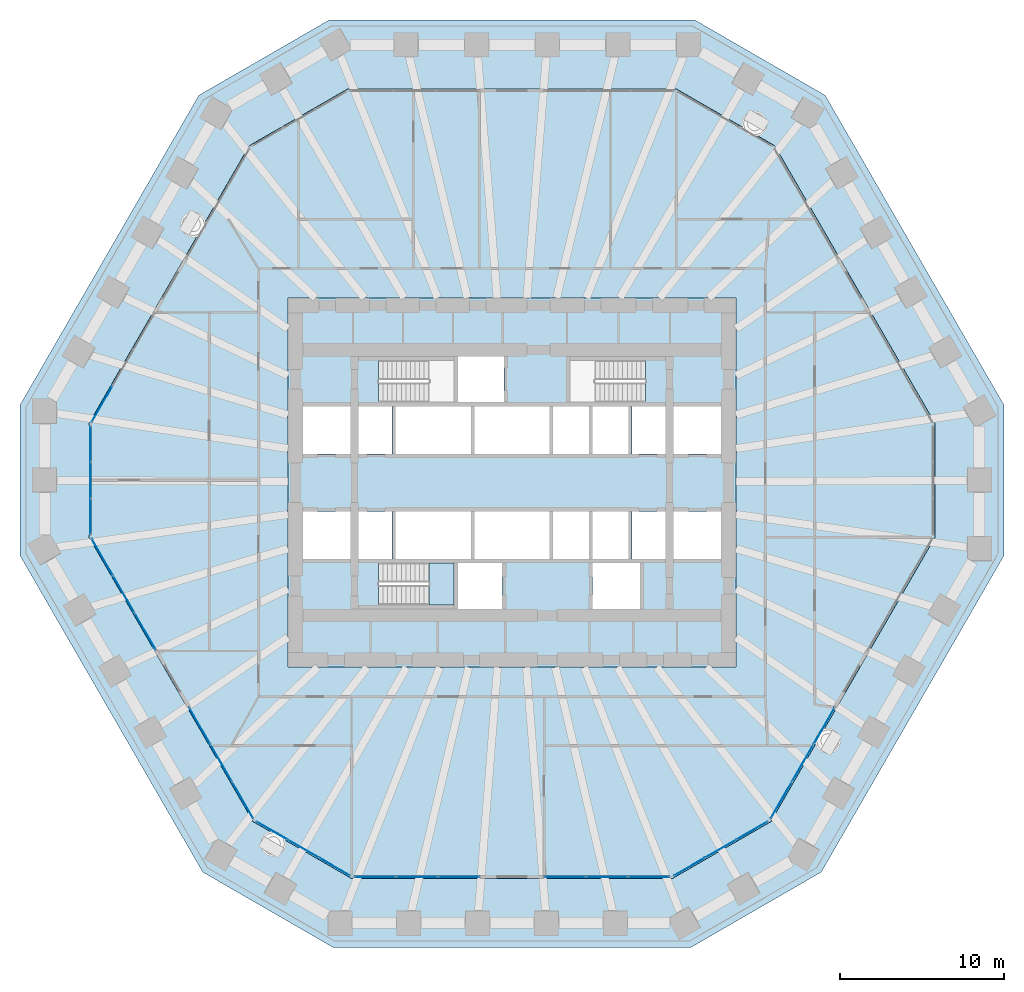
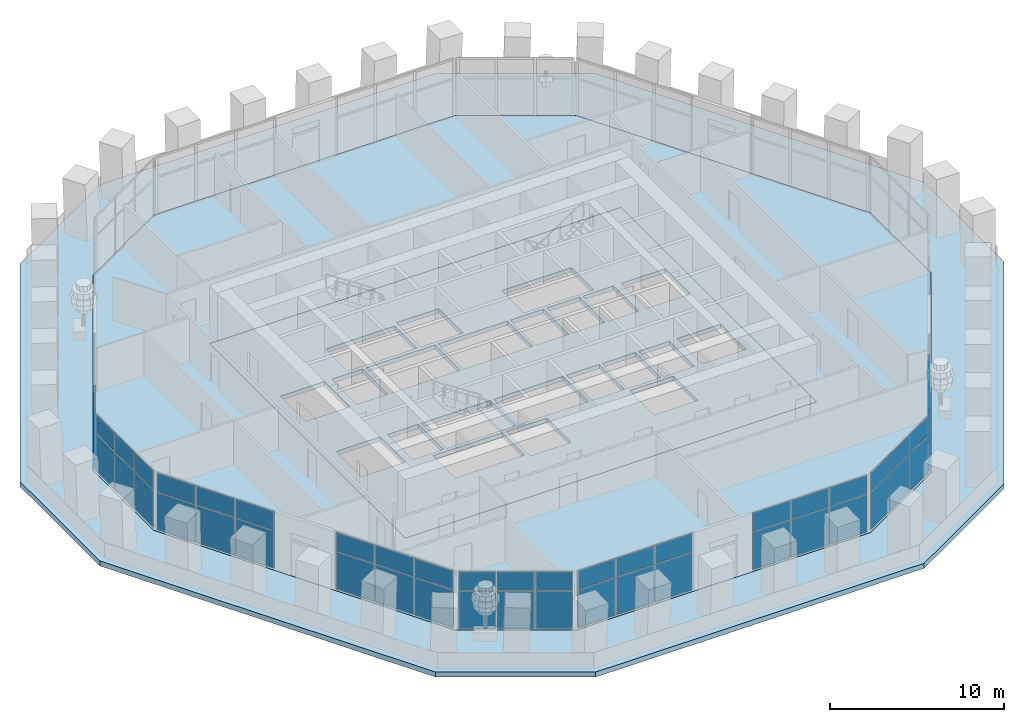
# One storey, part 9 of 18: 49 plates, 4 slabs, 10 elements without a shape of their own.
"""IFC4 building model written with IfcOpenShell, lengths in metres."""

from ifc_helpers import new_model, si_unit, direction, frame, origin, origin_2d, place, context, subcontext, project, spatial, polyline, rectangle, outline, extrude, material, layer, layer_set, type_object, element, aggregate, save


model = new_model("IFC4")

# Units and contexts
model_context = context("Model", 3, precision=1e-05, world=origin(), true_north=direction((0.0, 1.0)))
body_context = subcontext(model_context, "Body", "Model", "MODEL_VIEW")
ifc_project = project(units=[si_unit("LENGTHUNIT", "METRE"), si_unit("AREAUNIT", "SQUARE_METRE"), si_unit("VOLUMEUNIT", "CUBIC_METRE"), si_unit("PLANEANGLEUNIT", "RADIAN"), si_unit("MASSUNIT", "GRAM", prefix="KILO")], contexts=[model_context])

# Site, building, storey
site_placement = place(None, origin())
site = spatial("IfcSite", under=ifc_project, at=site_placement, CompositionType="ELEMENT")
building_placement = place(site_placement, origin())
building = spatial("IfcBuilding", under=site, at=building_placement, Name="Frailejon Research Tower", CompositionType="ELEMENT")
storey_placement = place(building_placement, frame((0.0, 0.0, 19.0)))
storey = spatial("IfcBuildingStorey", under=building, at=storey_placement, Name="L04", CompositionType="ELEMENT", Elevation=19.0)

# Curtain wall, plates
ifc_material_1 = material(Name="Aluminium curtain wall", Category="aluminium")
curtain_wall_type = type_object("IfcCurtainWallType", Name="Base zone unitised curtain wall system", PredefinedType="NOTDEFINED", material=ifc_material_1)
curtain_wall_1_placement = place(storey_placement, origin())
curtain_wall_1 = element("IfcCurtainWall", 1, at=curtain_wall_1_placement, inside=storey, type_object=curtain_wall_type, Name="Curtain wall L04", PredefinedType="NOTDEFINED")
ifc_material_2 = material(Name="Clear laminated glass", Category="glass")
ifc_layer_1 = layer(ifc_material_2, 0.028076171875)
ifc_layer_set_1 = layer_set([ifc_layer_1], Name="Base zone unitised curtain wall glass panel 28")
plate_type = type_object("IfcPlateType", Name="Base zone unitised curtain wall glass panel 28", PredefinedType="CURTAIN_PANEL", material=ifc_layer_set_1)
plate_1_placement = place(storey_placement, frame((-24.993408203125, 4.78662109375, 0.06005859375), z_axis=(0.0, 0.0, 1.0), x_axis=(-0.50000125994, -0.866024676356, 0.0)))
plate_1 = element("IfcPlate", 2, at=plate_1_placement, type_object=plate_type, Name="CW3-071 panel 3.1", PredefinedType="CURTAIN_PANEL", context=body_context, shape_type="SweptSolid", body=[
    extrude(rectangle(XDim=2.4765625, YDim=0.028076171875, at=origin_2d()), origin(), (0.0, 0.0, 1.0), 2.610107421875),
])
plate_2_placement = place(storey_placement, frame((-24.993408203125, 4.78662109375, 2.72998046875), z_axis=(0.0, 0.0, 1.0), x_axis=(-0.50000125994, -0.866024676356, 0.0)))
plate_2 = element("IfcPlate", 3, at=plate_2_placement, type_object=plate_type, Name="CW3-071 panel 3.2", PredefinedType="CURTAIN_PANEL", context=body_context, shape_type="SweptSolid", body=[
    extrude(rectangle(XDim=2.4765625, YDim=0.028076171875, at=origin_2d()), origin(), (0.0, 0.0, 1.0), 1.31005859375),
])
aggregate(curtain_wall_1, [plate_1, plate_2])

curtain_wall_2_placement = place(storey_placement, origin())
curtain_wall_2 = element("IfcCurtainWall", 4, at=curtain_wall_2_placement, inside=storey, type_object=curtain_wall_type, Name="Curtain wall L04", PredefinedType="NOTDEFINED")
plate_3_placement = place(storey_placement, frame((-25.692626953125, 2.34814453125, 0.06005859375), z_axis=(0.0, 0.0, 1.0), x_axis=(0.0, -1.0, 0.0)))
plate_3 = element("IfcPlate", 5, at=plate_3_placement, type_object=plate_type, Name="CW3-072 panel 1.1", PredefinedType="CURTAIN_PANEL", context=body_context, shape_type="SweptSolid", body=[
    extrude(rectangle(XDim=2.134765625, YDim=0.028076171875, at=origin_2d()), origin(), (0.0, 0.0, 1.0), 2.610107421875),
])
plate_4_placement = place(storey_placement, frame((-25.692626953125, 2.34814453125, 2.72998046875), z_axis=(0.0, 0.0, 1.0), x_axis=(0.0, -1.0, 0.0)))
plate_4 = element("IfcPlate", 6, at=plate_4_placement, type_object=plate_type, Name="CW3-072 panel 1.2", PredefinedType="CURTAIN_PANEL", context=body_context, shape_type="SweptSolid", body=[
    extrude(rectangle(XDim=2.134765625, YDim=0.028076171875, at=origin_2d()), origin(), (0.0, 0.0, 1.0), 1.31005859375),
])
plate_5_placement = place(storey_placement, frame((-25.692626953125, 0.13818359375, 0.06005859375), z_axis=(0.0, 0.0, 1.0), x_axis=(0.0, -1.0, 0.0)))
plate_5 = element("IfcPlate", 7, at=plate_5_placement, type_object=plate_type, Name="CW3-072 panel 2.1", PredefinedType="CURTAIN_PANEL", context=body_context, shape_type="SweptSolid", body=[
    extrude(rectangle(XDim=2.164794921875, YDim=0.028076171875, at=origin_2d()), origin(), (0.0, 0.0, 1.0), 2.610107421875),
])
plate_6_placement = place(storey_placement, frame((-25.692626953125, 0.13818359375, 2.72998046875), z_axis=(0.0, 0.0, 1.0), x_axis=(0.0, -1.0, 0.0)))
plate_6 = element("IfcPlate", 8, at=plate_6_placement, type_object=plate_type, Name="CW3-072 panel 2.2", PredefinedType="CURTAIN_PANEL", context=body_context, shape_type="SweptSolid", body=[
    extrude(rectangle(XDim=2.164794921875, YDim=0.028076171875, at=origin_2d()), origin(), (0.0, 0.0, 1.0), 1.31005859375),
])
plate_7_placement = place(storey_placement, frame((-25.692626953125, -2.071533203125, 0.06005859375), z_axis=(0.0, 0.0, 1.0), x_axis=(0.0, -1.0, 0.0)))
plate_7 = element("IfcPlate", 9, at=plate_7_placement, type_object=plate_type, Name="CW3-072 panel 3.1", PredefinedType="CURTAIN_PANEL", context=body_context, shape_type="SweptSolid", body=[
    extrude(rectangle(XDim=2.134765625, YDim=0.028076171875, at=origin_2d()), origin(), (0.0, 0.0, 1.0), 2.610107421875),
])
plate_8_placement = place(storey_placement, frame((-25.692626953125, -2.071533203125, 2.72998046875), z_axis=(0.0, 0.0, 1.0), x_axis=(0.0, -1.0, 0.0)))
plate_8 = element("IfcPlate", 10, at=plate_8_placement, type_object=plate_type, Name="CW3-072 panel 3.2", PredefinedType="CURTAIN_PANEL", context=body_context, shape_type="SweptSolid", body=[
    extrude(rectangle(XDim=2.134765625, YDim=0.028076171875, at=origin_2d()), origin(), (0.0, 0.0, 1.0), 1.31005859375),
])
aggregate(curtain_wall_2, [plate_3, plate_4, plate_5, plate_6, plate_7, plate_8])

curtain_wall_3_placement = place(storey_placement, origin())
curtain_wall_3 = element("IfcCurtainWall", 11, at=curtain_wall_3_placement, inside=storey, type_object=curtain_wall_type, Name="Curtain wall L04", PredefinedType="NOTDEFINED")
plate_9_placement = place(storey_placement, frame((-24.9775390625, -4.53759765625, 0.06005859375), z_axis=(0.0, 0.0, 1.0), x_axis=(0.499997414004, -0.866026896805, 0.0)))
plate_9 = element("IfcPlate", 12, at=plate_9_placement, type_object=plate_type, Name="CW3-073 panel 1.1", PredefinedType="CURTAIN_PANEL", context=body_context, shape_type="SweptSolid", body=[
    extrude(rectangle(XDim=2.54052734375, YDim=0.028076171875, at=origin_2d()), origin(), (0.0, 0.0, 1.0), 2.610107421875),
])
plate_10_placement = place(storey_placement, frame((-24.9775390625, -4.53759765625, 2.72998046875), z_axis=(0.0, 0.0, 1.0), x_axis=(0.499997414004, -0.866026896805, 0.0)))
plate_10 = element("IfcPlate", 13, at=plate_10_placement, type_object=plate_type, Name="CW3-073 panel 1.2", PredefinedType="CURTAIN_PANEL", context=body_context, shape_type="SweptSolid", body=[
    extrude(rectangle(XDim=2.54052734375, YDim=0.028076171875, at=origin_2d()), origin(), (0.0, 0.0, 1.0), 1.31005859375),
])
plate_11_placement = place(storey_placement, frame((-23.669677734375, -6.802734375, 0.06005859375), z_axis=(0.0, 0.0, 1.0), x_axis=(0.499997414004, -0.866026896805, 0.0)))
plate_11 = element("IfcPlate", 14, at=plate_11_placement, type_object=plate_type, Name="CW3-073 panel 2.1", PredefinedType="CURTAIN_PANEL", context=body_context, shape_type="SweptSolid", body=[
    extrude(rectangle(XDim=2.570556640625, YDim=0.028076171875, at=origin_2d()), origin(), (0.0, 0.0, 1.0), 2.610107421875),
])
plate_12_placement = place(storey_placement, frame((-23.669677734375, -6.802734375, 2.72998046875), z_axis=(0.0, 0.0, 1.0), x_axis=(0.499997414004, -0.866026896805, 0.0)))
plate_12 = element("IfcPlate", 15, at=plate_12_placement, type_object=plate_type, Name="CW3-073 panel 2.2", PredefinedType="CURTAIN_PANEL", context=body_context, shape_type="SweptSolid", body=[
    extrude(rectangle(XDim=2.570556640625, YDim=0.028076171875, at=origin_2d()), origin(), (0.0, 0.0, 1.0), 1.31005859375),
])
plate_13_placement = place(storey_placement, frame((-22.362060546875, -9.06787109375, 0.06005859375), z_axis=(0.0, 0.0, 1.0), x_axis=(0.499997414004, -0.866026896805, 0.0)))
plate_13 = element("IfcPlate", 16, at=plate_13_placement, type_object=plate_type, Name="CW3-073 panel 3.1", PredefinedType="CURTAIN_PANEL", context=body_context, shape_type="SweptSolid", body=[
    extrude(rectangle(XDim=2.54052734375, YDim=0.028076171875, at=origin_2d()), origin(), (0.0, 0.0, 1.0), 2.610107421875),
])
plate_14_placement = place(storey_placement, frame((-22.362060546875, -9.06787109375, 2.72998046875), z_axis=(0.0, 0.0, 1.0), x_axis=(0.499997414004, -0.866026896805, 0.0)))
plate_14 = element("IfcPlate", 17, at=plate_14_placement, type_object=plate_type, Name="CW3-073 panel 3.2", PredefinedType="CURTAIN_PANEL", context=body_context, shape_type="SweptSolid", body=[
    extrude(rectangle(XDim=2.54052734375, YDim=0.028076171875, at=origin_2d()), origin(), (0.0, 0.0, 1.0), 1.31005859375),
])
aggregate(curtain_wall_3, [plate_9, plate_10, plate_11, plate_12, plate_13, plate_14])

curtain_wall_4_placement = place(storey_placement, origin())
curtain_wall_4 = element("IfcCurtainWall", 18, at=curtain_wall_4_placement, inside=storey, type_object=curtain_wall_type, Name="Curtain wall L04", PredefinedType="NOTDEFINED")
plate_15_placement = place(storey_placement, frame((-19.033935546875, -14.832275390625, 0.06005859375), z_axis=(0.0, 0.0, 1.0), x_axis=(0.499997414004, -0.866026896805, 0.0)))
plate_15 = element("IfcPlate", 19, at=plate_15_placement, type_object=plate_type, Name="CW3-074 panel 1.1", PredefinedType="CURTAIN_PANEL", context=body_context, shape_type="SweptSolid", body=[
    extrude(rectangle(XDim=2.54052734375, YDim=0.028076171875, at=origin_2d()), origin(), (0.0, 0.0, 1.0), 2.610107421875),
])
plate_16_placement = place(storey_placement, frame((-19.033935546875, -14.832275390625, 2.72998046875), z_axis=(0.0, 0.0, 1.0), x_axis=(0.499997414004, -0.866026896805, 0.0)))
plate_16 = element("IfcPlate", 20, at=plate_16_placement, type_object=plate_type, Name="CW3-074 panel 1.2", PredefinedType="CURTAIN_PANEL", context=body_context, shape_type="SweptSolid", body=[
    extrude(rectangle(XDim=2.54052734375, YDim=0.028076171875, at=origin_2d()), origin(), (0.0, 0.0, 1.0), 1.31005859375),
])
plate_17_placement = place(storey_placement, frame((-17.726318359375, -17.097412109375, 0.06005859375), z_axis=(0.0, 0.0, 1.0), x_axis=(0.499997414004, -0.866026896805, 0.0)))
plate_17 = element("IfcPlate", 21, at=plate_17_placement, type_object=plate_type, Name="CW3-074 panel 2.1", PredefinedType="CURTAIN_PANEL", context=body_context, shape_type="SweptSolid", body=[
    extrude(rectangle(XDim=2.570556640625, YDim=0.028076171875, at=origin_2d()), origin(), (0.0, 0.0, 1.0), 2.610107421875),
])
plate_18_placement = place(storey_placement, frame((-17.726318359375, -17.097412109375, 2.72998046875), z_axis=(0.0, 0.0, 1.0), x_axis=(0.499997414004, -0.866026896805, 0.0)))
plate_18 = element("IfcPlate", 22, at=plate_18_placement, type_object=plate_type, Name="CW3-074 panel 2.2", PredefinedType="CURTAIN_PANEL", context=body_context, shape_type="SweptSolid", body=[
    extrude(rectangle(XDim=2.570556640625, YDim=0.028076171875, at=origin_2d()), origin(), (0.0, 0.0, 1.0), 1.31005859375),
])
plate_19_placement = place(storey_placement, frame((-16.41845703125, -19.3623046875, 0.06005859375), z_axis=(0.0, 0.0, 1.0), x_axis=(0.499997414004, -0.866026896805, 0.0)))
plate_19 = element("IfcPlate", 23, at=plate_19_placement, type_object=plate_type, Name="CW3-074 panel 3.1", PredefinedType="CURTAIN_PANEL", context=body_context, shape_type="SweptSolid", body=[
    extrude(rectangle(XDim=2.54052734375, YDim=0.028076171875, at=origin_2d()), origin(), (0.0, 0.0, 1.0), 2.610107421875),
])
plate_20_placement = place(storey_placement, frame((-16.41845703125, -19.3623046875, 2.72998046875), z_axis=(0.0, 0.0, 1.0), x_axis=(0.499997414004, -0.866026896805, 0.0)))
plate_20 = element("IfcPlate", 24, at=plate_20_placement, type_object=plate_type, Name="CW3-074 panel 3.2", PredefinedType="CURTAIN_PANEL", context=body_context, shape_type="SweptSolid", body=[
    extrude(rectangle(XDim=2.54052734375, YDim=0.028076171875, at=origin_2d()), origin(), (0.0, 0.0, 1.0), 1.31005859375),
])
aggregate(curtain_wall_4, [plate_15, plate_16, plate_17, plate_18, plate_19, plate_20])

curtain_wall_5_placement = place(storey_placement, origin())
curtain_wall_5 = element("IfcCurtainWall", 25, at=curtain_wall_5_placement, inside=storey, type_object=curtain_wall_type, Name="Curtain wall L04", PredefinedType="NOTDEFINED")
plate_21_placement = place(storey_placement, frame((-14.640380859375, -21.214599609375, 0.06005859375), z_axis=(0.0, 0.0, 1.0), x_axis=(0.866026409075, -0.499998258782, 0.0)))
plate_21 = element("IfcPlate", 26, at=plate_21_placement, type_object=plate_type, Name="CW3-075 panel 1.1", PredefinedType="CURTAIN_PANEL", context=body_context, shape_type="SweptSolid", body=[
    extrude(rectangle(XDim=2.134765625, YDim=0.028076171875, at=origin_2d()), origin(), (0.0, 0.0, 1.0), 2.610107421875),
])
plate_22_placement = place(storey_placement, frame((-14.640380859375, -21.214599609375, 2.72998046875), z_axis=(0.0, 0.0, 1.0), x_axis=(0.866026409075, -0.499998258782, 0.0)))
plate_22 = element("IfcPlate", 27, at=plate_22_placement, type_object=plate_type, Name="CW3-075 panel 1.2", PredefinedType="CURTAIN_PANEL", context=body_context, shape_type="SweptSolid", body=[
    extrude(rectangle(XDim=2.134765625, YDim=0.028076171875, at=origin_2d()), origin(), (0.0, 0.0, 1.0), 1.31005859375),
])
plate_23_placement = place(storey_placement, frame((-12.7265625, -22.319580078125, 0.06005859375), z_axis=(0.0, 0.0, 1.0), x_axis=(0.866026409075, -0.499998258782, 0.0)))
plate_23 = element("IfcPlate", 28, at=plate_23_placement, type_object=plate_type, Name="CW3-075 panel 2.1", PredefinedType="CURTAIN_PANEL", context=body_context, shape_type="SweptSolid", body=[
    extrude(rectangle(XDim=2.164794921875, YDim=0.028076171875, at=origin_2d()), origin(), (0.0, 0.0, 1.0), 2.610107421875),
])
plate_24_placement = place(storey_placement, frame((-12.7265625, -22.319580078125, 2.72998046875), z_axis=(0.0, 0.0, 1.0), x_axis=(0.866026409075, -0.499998258782, 0.0)))
plate_24 = element("IfcPlate", 29, at=plate_24_placement, type_object=plate_type, Name="CW3-075 panel 2.2", PredefinedType="CURTAIN_PANEL", context=body_context, shape_type="SweptSolid", body=[
    extrude(rectangle(XDim=2.164794921875, YDim=0.028076171875, at=origin_2d()), origin(), (0.0, 0.0, 1.0), 1.31005859375),
])
plate_25_placement = place(storey_placement, frame((-10.812744140625, -23.424560546875, 0.06005859375), z_axis=(0.0, 0.0, 1.0), x_axis=(0.866026409075, -0.499998258782, 0.0)))
plate_25 = element("IfcPlate", 30, at=plate_25_placement, type_object=plate_type, Name="CW3-075 panel 3.1", PredefinedType="CURTAIN_PANEL", context=body_context, shape_type="SweptSolid", body=[
    extrude(rectangle(XDim=2.134765625, YDim=0.028076171875, at=origin_2d()), origin(), (0.0, 0.0, 1.0), 2.610107421875),
])
plate_26_placement = place(storey_placement, frame((-10.812744140625, -23.424560546875, 2.72998046875), z_axis=(0.0, 0.0, 1.0), x_axis=(0.866026409075, -0.499998258782, 0.0)))
plate_26 = element("IfcPlate", 31, at=plate_26_placement, type_object=plate_type, Name="CW3-075 panel 3.2", PredefinedType="CURTAIN_PANEL", context=body_context, shape_type="SweptSolid", body=[
    extrude(rectangle(XDim=2.134765625, YDim=0.028076171875, at=origin_2d()), origin(), (0.0, 0.0, 1.0), 1.31005859375),
])
aggregate(curtain_wall_5, [plate_21, plate_22, plate_23, plate_24, plate_25, plate_26])

curtain_wall_6_placement = place(storey_placement, origin())
curtain_wall_6 = element("IfcCurtainWall", 32, at=curtain_wall_6_placement, inside=storey, type_object=curtain_wall_type, Name="Curtain wall L04", PredefinedType="NOTDEFINED")
plate_27_placement = place(storey_placement, frame((-8.3515625, -24.038330078125, 0.06005859375), z_axis=(0.0, 0.0, 1.0), x_axis=(1.0, 0.0, 0.0)))
plate_27 = element("IfcPlate", 33, at=plate_27_placement, type_object=plate_type, Name="CW3-076 panel 1.1", PredefinedType="CURTAIN_PANEL", context=body_context, shape_type="SweptSolid", body=[
    extrude(rectangle(XDim=2.4765625, YDim=0.028076171875, at=origin_2d()), origin(), (0.0, 0.0, 1.0), 2.610107421875),
])
plate_28_placement = place(storey_placement, frame((-8.3515625, -24.038330078125, 2.72998046875), z_axis=(0.0, 0.0, 1.0), x_axis=(1.0, 0.0, 0.0)))
plate_28 = element("IfcPlate", 34, at=plate_28_placement, type_object=plate_type, Name="CW3-076 panel 1.2", PredefinedType="CURTAIN_PANEL", context=body_context, shape_type="SweptSolid", body=[
    extrude(rectangle(XDim=2.4765625, YDim=0.028076171875, at=origin_2d()), origin(), (0.0, 0.0, 1.0), 1.31005859375),
])
plate_29_placement = place(storey_placement, frame((-5.7998046875, -24.038330078125, 0.06005859375), z_axis=(0.0, 0.0, 1.0), x_axis=(1.0, 0.0, 0.0)))
plate_29 = element("IfcPlate", 35, at=plate_29_placement, type_object=plate_type, Name="CW3-076 panel 2.1", PredefinedType="CURTAIN_PANEL", context=body_context, shape_type="SweptSolid", body=[
    extrude(rectangle(XDim=2.506591796875, YDim=0.028076171875, at=origin_2d()), origin(), (0.0, 0.0, 1.0), 2.610107421875),
])
plate_30_placement = place(storey_placement, frame((-5.7998046875, -24.038330078125, 2.72998046875), z_axis=(0.0, 0.0, 1.0), x_axis=(1.0, 0.0, 0.0)))
plate_30 = element("IfcPlate", 36, at=plate_30_placement, type_object=plate_type, Name="CW3-076 panel 2.2", PredefinedType="CURTAIN_PANEL", context=body_context, shape_type="SweptSolid", body=[
    extrude(rectangle(XDim=2.506591796875, YDim=0.028076171875, at=origin_2d()), origin(), (0.0, 0.0, 1.0), 1.31005859375),
])
plate_31_placement = place(storey_placement, frame((-3.248291015625, -24.038330078125, 0.06005859375), z_axis=(0.0, 0.0, 1.0), x_axis=(1.0, 0.0, 0.0)))
plate_31 = element("IfcPlate", 37, at=plate_31_placement, type_object=plate_type, Name="CW3-076 panel 3.1", PredefinedType="CURTAIN_PANEL", context=body_context, shape_type="SweptSolid", body=[
    extrude(rectangle(XDim=2.4765625, YDim=0.028076171875, at=origin_2d()), origin(), (0.0, 0.0, 1.0), 2.610107421875),
])
plate_32_placement = place(storey_placement, frame((-3.248291015625, -24.038330078125, 2.72998046875), z_axis=(0.0, 0.0, 1.0), x_axis=(1.0, 0.0, 0.0)))
plate_32 = element("IfcPlate", 38, at=plate_32_placement, type_object=plate_type, Name="CW3-076 panel 3.2", PredefinedType="CURTAIN_PANEL", context=body_context, shape_type="SweptSolid", body=[
    extrude(rectangle(XDim=2.4765625, YDim=0.028076171875, at=origin_2d()), origin(), (0.0, 0.0, 1.0), 1.31005859375),
])
aggregate(curtain_wall_6, [plate_27, plate_28, plate_29, plate_30, plate_31, plate_32])

curtain_wall_7_placement = place(storey_placement, origin())
curtain_wall_7 = element("IfcCurtainWall", 39, at=curtain_wall_7_placement, inside=storey, type_object=curtain_wall_type, Name="Curtain wall L04", PredefinedType="NOTDEFINED")
plate_33_placement = place(storey_placement, frame((3.248291015625, -24.038330078125, 0.06005859375), z_axis=(0.0, 0.0, 1.0), x_axis=(1.0, 0.0, 0.0)))
plate_33 = element("IfcPlate", 40, at=plate_33_placement, type_object=plate_type, Name="CW3-077 panel 1.1", PredefinedType="CURTAIN_PANEL", context=body_context, shape_type="SweptSolid", body=[
    extrude(rectangle(XDim=2.4765625, YDim=0.028076171875, at=origin_2d()), origin(), (0.0, 0.0, 1.0), 2.610107421875),
])
plate_34_placement = place(storey_placement, frame((3.248291015625, -24.038330078125, 2.72998046875), z_axis=(0.0, 0.0, 1.0), x_axis=(1.0, 0.0, 0.0)))
plate_34 = element("IfcPlate", 41, at=plate_34_placement, type_object=plate_type, Name="CW3-077 panel 1.2", PredefinedType="CURTAIN_PANEL", context=body_context, shape_type="SweptSolid", body=[
    extrude(rectangle(XDim=2.4765625, YDim=0.028076171875, at=origin_2d()), origin(), (0.0, 0.0, 1.0), 1.31005859375),
])
plate_35_placement = place(storey_placement, frame((5.7998046875, -24.038330078125, 0.06005859375), z_axis=(0.0, 0.0, 1.0), x_axis=(1.0, 0.0, 0.0)))
plate_35 = element("IfcPlate", 42, at=plate_35_placement, type_object=plate_type, Name="CW3-077 panel 2.1", PredefinedType="CURTAIN_PANEL", context=body_context, shape_type="SweptSolid", body=[
    extrude(rectangle(XDim=2.506591796875, YDim=0.028076171875, at=origin_2d()), origin(), (0.0, 0.0, 1.0), 2.610107421875),
])
plate_36_placement = place(storey_placement, frame((5.7998046875, -24.038330078125, 2.72998046875), z_axis=(0.0, 0.0, 1.0), x_axis=(1.0, 0.0, 0.0)))
plate_36 = element("IfcPlate", 43, at=plate_36_placement, type_object=plate_type, Name="CW3-077 panel 2.2", PredefinedType="CURTAIN_PANEL", context=body_context, shape_type="SweptSolid", body=[
    extrude(rectangle(XDim=2.506591796875, YDim=0.028076171875, at=origin_2d()), origin(), (0.0, 0.0, 1.0), 1.31005859375),
])
plate_37_placement = place(storey_placement, frame((8.3515625, -24.038330078125, 0.06005859375), z_axis=(0.0, 0.0, 1.0), x_axis=(1.0, 0.0, 0.0)))
plate_37 = element("IfcPlate", 44, at=plate_37_placement, type_object=plate_type, Name="CW3-077 panel 3.1", PredefinedType="CURTAIN_PANEL", context=body_context, shape_type="SweptSolid", body=[
    extrude(rectangle(XDim=2.4765625, YDim=0.028076171875, at=origin_2d()), origin(), (0.0, 0.0, 1.0), 2.610107421875),
])
plate_38_placement = place(storey_placement, frame((8.3515625, -24.038330078125, 2.72998046875), z_axis=(0.0, 0.0, 1.0), x_axis=(1.0, 0.0, 0.0)))
plate_38 = element("IfcPlate", 45, at=plate_38_placement, type_object=plate_type, Name="CW3-077 panel 3.2", PredefinedType="CURTAIN_PANEL", context=body_context, shape_type="SweptSolid", body=[
    extrude(rectangle(XDim=2.4765625, YDim=0.028076171875, at=origin_2d()), origin(), (0.0, 0.0, 1.0), 1.31005859375),
])
aggregate(curtain_wall_7, [plate_33, plate_34, plate_35, plate_36, plate_37, plate_38])

curtain_wall_8_placement = place(storey_placement, origin())
curtain_wall_8 = element("IfcCurtainWall", 46, at=curtain_wall_8_placement, inside=storey, type_object=curtain_wall_type, Name="Curtain wall L04", PredefinedType="NOTDEFINED")
plate_39_placement = place(storey_placement, frame((10.812744140625, -23.424560546875, 0.06005859375), z_axis=(0.0, 0.0, 1.0), x_axis=(0.866026409075, 0.499998258782, 0.0)))
plate_39 = element("IfcPlate", 47, at=plate_39_placement, type_object=plate_type, Name="CW3-078 panel 1.1", PredefinedType="CURTAIN_PANEL", context=body_context, shape_type="SweptSolid", body=[
    extrude(rectangle(XDim=2.134765625, YDim=0.028076171875, at=origin_2d()), origin(), (0.0, 0.0, 1.0), 2.610107421875),
])
plate_40_placement = place(storey_placement, frame((10.812744140625, -23.424560546875, 2.72998046875), z_axis=(0.0, 0.0, 1.0), x_axis=(0.866026409075, 0.499998258782, 0.0)))
plate_40 = element("IfcPlate", 48, at=plate_40_placement, type_object=plate_type, Name="CW3-078 panel 1.2", PredefinedType="CURTAIN_PANEL", context=body_context, shape_type="SweptSolid", body=[
    extrude(rectangle(XDim=2.134765625, YDim=0.028076171875, at=origin_2d()), origin(), (0.0, 0.0, 1.0), 1.31005859375),
])
plate_41_placement = place(storey_placement, frame((12.7265625, -22.319580078125, 0.06005859375), z_axis=(0.0, 0.0, 1.0), x_axis=(0.866026409075, 0.499998258782, 0.0)))
plate_41 = element("IfcPlate", 49, at=plate_41_placement, type_object=plate_type, Name="CW3-078 panel 2.1", PredefinedType="CURTAIN_PANEL", context=body_context, shape_type="SweptSolid", body=[
    extrude(rectangle(XDim=2.164794921875, YDim=0.028076171875, at=origin_2d()), origin(), (0.0, 0.0, 1.0), 2.610107421875),
])
plate_42_placement = place(storey_placement, frame((12.7265625, -22.319580078125, 2.72998046875), z_axis=(0.0, 0.0, 1.0), x_axis=(0.866026409075, 0.499998258782, 0.0)))
plate_42 = element("IfcPlate", 50, at=plate_42_placement, type_object=plate_type, Name="CW3-078 panel 2.2", PredefinedType="CURTAIN_PANEL", context=body_context, shape_type="SweptSolid", body=[
    extrude(rectangle(XDim=2.164794921875, YDim=0.028076171875, at=origin_2d()), origin(), (0.0, 0.0, 1.0), 1.31005859375),
])
plate_43_placement = place(storey_placement, frame((14.640380859375, -21.214599609375, 0.06005859375), z_axis=(0.0, 0.0, 1.0), x_axis=(0.866026409075, 0.499998258782, 0.0)))
plate_43 = element("IfcPlate", 51, at=plate_43_placement, type_object=plate_type, Name="CW3-078 panel 3.1", PredefinedType="CURTAIN_PANEL", context=body_context, shape_type="SweptSolid", body=[
    extrude(rectangle(XDim=2.134765625, YDim=0.028076171875, at=origin_2d()), origin(), (0.0, 0.0, 1.0), 2.610107421875),
])
plate_44_placement = place(storey_placement, frame((14.640380859375, -21.214599609375, 2.72998046875), z_axis=(0.0, 0.0, 1.0), x_axis=(0.866026409075, 0.499998258782, 0.0)))
plate_44 = element("IfcPlate", 52, at=plate_44_placement, type_object=plate_type, Name="CW3-078 panel 3.2", PredefinedType="CURTAIN_PANEL", context=body_context, shape_type="SweptSolid", body=[
    extrude(rectangle(XDim=2.134765625, YDim=0.028076171875, at=origin_2d()), origin(), (0.0, 0.0, 1.0), 1.31005859375),
])
aggregate(curtain_wall_8, [plate_39, plate_40, plate_41, plate_42, plate_43, plate_44])

curtain_wall_9_placement = place(storey_placement, origin())
curtain_wall_9 = element("IfcCurtainWall", 53, at=curtain_wall_9_placement, inside=storey, type_object=curtain_wall_type, Name="Curtain wall L04", PredefinedType="NOTDEFINED")
plate_45_placement = place(storey_placement, frame((16.41845703125, -19.3623046875, 0.06005859375), z_axis=(0.0, 0.0, 1.0), x_axis=(0.499997414004, 0.866026896805, 0.0)))
plate_45 = element("IfcPlate", 54, at=plate_45_placement, type_object=plate_type, Name="CW3-079 panel 1.1", PredefinedType="CURTAIN_PANEL", context=body_context, shape_type="SweptSolid", body=[
    extrude(rectangle(XDim=2.54052734375, YDim=0.028076171875, at=origin_2d()), origin(), (0.0, 0.0, 1.0), 2.610107421875),
])
plate_46_placement = place(storey_placement, frame((16.41845703125, -19.3623046875, 2.72998046875), z_axis=(0.0, 0.0, 1.0), x_axis=(0.499997414004, 0.866026896805, 0.0)))
plate_46 = element("IfcPlate", 55, at=plate_46_placement, type_object=plate_type, Name="CW3-079 panel 1.2", PredefinedType="CURTAIN_PANEL", context=body_context, shape_type="SweptSolid", body=[
    extrude(rectangle(XDim=2.54052734375, YDim=0.028076171875, at=origin_2d()), origin(), (0.0, 0.0, 1.0), 1.31005859375),
])
plate_47_placement = place(storey_placement, frame((17.726318359375, -17.097412109375, 0.06005859375), z_axis=(0.0, 0.0, 1.0), x_axis=(0.499997414004, 0.866026896805, 0.0)))
plate_47 = element("IfcPlate", 56, at=plate_47_placement, type_object=plate_type, Name="CW3-079 panel 2.1", PredefinedType="CURTAIN_PANEL", context=body_context, shape_type="SweptSolid", body=[
    extrude(rectangle(XDim=2.570556640625, YDim=0.028076171875, at=origin_2d()), origin(), (0.0, 0.0, 1.0), 2.610107421875),
])
plate_48_placement = place(storey_placement, frame((17.726318359375, -17.097412109375, 2.72998046875), z_axis=(0.0, 0.0, 1.0), x_axis=(0.499997414004, 0.866026896805, 0.0)))
plate_48 = element("IfcPlate", 57, at=plate_48_placement, type_object=plate_type, Name="CW3-079 panel 2.2", PredefinedType="CURTAIN_PANEL", context=body_context, shape_type="SweptSolid", body=[
    extrude(rectangle(XDim=2.570556640625, YDim=0.028076171875, at=origin_2d()), origin(), (0.0, 0.0, 1.0), 1.31005859375),
])
plate_49_placement = place(storey_placement, frame((19.033935546875, -14.832275390625, 0.06005859375), z_axis=(0.0, 0.0, 1.0), x_axis=(0.499997414004, 0.866026896805, 0.0)))
plate_49 = element("IfcPlate", 58, at=plate_49_placement, type_object=plate_type, Name="CW3-079 panel 3.1", PredefinedType="CURTAIN_PANEL", context=body_context, shape_type="SweptSolid", body=[
    extrude(rectangle(XDim=2.54052734375, YDim=0.028076171875, at=origin_2d()), origin(), (0.0, 0.0, 1.0), 2.610107421875),
])
aggregate(curtain_wall_9, [plate_45, plate_46, plate_47, plate_48, plate_49])

# Slabs
ifc_material_3 = material(Name="Concrete C70/85", Category="concrete")
ifc_layer_2 = layer(ifc_material_3, 0.300048828125)
ifc_layer_set_2 = layer_set([ifc_layer_2], Name="Core floor slab 300 C70/85")
slab_type_1 = type_object("IfcSlabType", Name="Core floor slab 300 C70/85", PredefinedType="FLOOR", material=ifc_layer_set_2)
slab_1_placement = place(storey_placement, frame((0.0, 0.0, -0.300048828125)))
element("IfcSlab", 59, at=slab_1_placement, inside=storey, type_object=slab_type_1, Name="Core floor slab", PredefinedType="FLOOR", context=body_context, shape_type="SweptSolid", body=[
    extrude(outline(polyline([(13.64990234375, -11.25), (13.64990234375, 11.25), (-13.64990234375, 11.25), (-13.64990234375, -11.25), (13.64990234375, -11.25)]), holes=[polyline([(-9.85009765625, 1.75), (-9.85009765625, 4.64990234375), (-12.75, 4.64990234375), (-12.75, 1.75), (-9.85009765625, 1.75)]), polyline([(-7.300048828125, 1.75), (-7.300048828125, 4.64990234375), (-9.35009765625, 4.64990234375), (-9.35009765625, 1.75), (-7.300048828125, 1.75)]), polyline([(-2.5, 1.75), (-2.5, 4.64990234375), (-7.10009765625, 4.64990234375), (-7.10009765625, 1.75), (-2.5, 1.75)]), polyline([(2.300048828125, 1.75), (2.300048828125, 4.64990234375), (-2.300048828125, 4.64990234375), (-2.300048828125, 1.75), (2.300048828125, 1.75)]), polyline([(4.699951171875, 1.75), (4.699951171875, 4.64990234375), (2.5, 4.64990234375), (2.5, 1.75), (4.699951171875, 1.75)]), polyline([(7.10009765625, 1.75), (7.10009765625, 4.64990234375), (4.89990234375, 4.64990234375), (4.89990234375, 1.75), (7.10009765625, 1.75)]), polyline([(9.35009765625, 1.75), (9.35009765625, 4.64990234375), (7.300048828125, 4.64990234375), (7.300048828125, 1.75), (9.35009765625, 1.75)]), polyline([(12.75, 1.75), (12.75, 4.64990234375), (9.85009765625, 4.64990234375), (9.85009765625, 1.75), (12.75, 1.75)]), polyline([(-9.85009765625, -4.64990234375), (-9.85009765625, -1.75), (-12.75, -1.75), (-12.75, -4.64990234375), (-9.85009765625, -4.64990234375)]), polyline([(-7.300048828125, -4.64990234375), (-7.300048828125, -1.75), (-9.35009765625, -1.75), (-9.35009765625, -4.64990234375), (-7.300048828125, -4.64990234375)]), polyline([(-2.5, -4.64990234375), (-2.5, -1.75), (-7.10009765625, -1.75), (-7.10009765625, -4.64990234375), (-2.5, -4.64990234375)]), polyline([(2.300048828125, -4.64990234375), (2.300048828125, -1.75), (-2.300048828125, -1.75), (-2.300048828125, -4.64990234375), (2.300048828125, -4.64990234375)]), polyline([(4.699951171875, -4.64990234375), (4.699951171875, -1.75), (2.5, -1.75), (2.5, -4.64990234375), (4.699951171875, -4.64990234375)]), polyline([(7.10009765625, -4.64990234375), (7.10009765625, -1.75), (4.89990234375, -1.75), (4.89990234375, -4.64990234375), (7.10009765625, -4.64990234375)]), polyline([(9.35009765625, -4.64990234375), (9.35009765625, -1.75), (7.300048828125, -1.75), (7.300048828125, -4.64990234375), (9.35009765625, -4.64990234375)]), polyline([(12.75, -4.64990234375), (12.75, -1.75), (9.85009765625, -1.75), (9.85009765625, -4.64990234375), (12.75, -4.64990234375)]), polyline([(-8.14697265625, 4.89990234375), (-3.550048828125, 4.89990234375), (-3.550048828125, 7.449951171875), (-8.14697265625, 7.449951171875), (-8.14697265625, 4.89990234375)]), polyline([(-8.14697265625, -7.449951171875), (-3.550048828125, -7.449951171875), (-3.550048828125, -4.89990234375), (-8.14697265625, -4.89990234375), (-8.14697265625, -7.449951171875)]), polyline([(8.14697265625, 7.449951171875), (3.550048828125, 7.449951171875), (3.550048828125, 4.89990234375), (8.14697265625, 4.89990234375), (8.14697265625, 7.449951171875)]), polyline([(-0.60009765625, -7.699951171875), (-0.60009765625, -4.89990234375), (-3.300048828125, -4.89990234375), (-3.300048828125, -7.699951171875), (-0.60009765625, -7.699951171875)]), polyline([(7.800048828125, -7.699951171875), (7.800048828125, -4.89990234375), (4.89990234375, -4.89990234375), (4.89990234375, -7.699951171875), (7.800048828125, -7.699951171875)]), polyline([(-0.5, 4.89990234375), (-0.5, 7.699951171875), (-3.300048828125, 7.699951171875), (-3.300048828125, 4.89990234375), (-0.5, 4.89990234375)])]), origin(), (0.0, 0.0, 1.0), 0.300048828125),
])
ifc_material_4 = material(Name="Concrete C40/50", Category="concrete")
ifc_layer_3 = layer(ifc_material_4, 0.35009765625)
ifc_layer_set_3 = layer_set([ifc_layer_3], Name="Loggia slab 350")
slab_type_2 = type_object("IfcSlabType", Name="Loggia slab 350", PredefinedType="USERDEFINED", material=ifc_layer_set_3)
slab_2_placement = place(storey_placement, frame((0.0, 0.0, -0.35009765625)))
element("IfcSlab", 60, at=slab_2_placement, inside=storey, type_object=slab_type_2, Name="Loggia slab L04", ObjectType="LOGGIA", PredefinedType="USERDEFINED", context=body_context, shape_type="SweptSolid", body=[
    extrude(outline(polyline([(18.851318359375, -23.748779296875), (10.902099609375, -28.33837890625), (-10.902099609375, -28.33837890625), (-18.851318359375, -23.748779296875), (-29.99267578125, -4.451171875), (-29.99267578125, 4.727783203125), (-19.0908203125, 23.610595703125), (-11.1416015625, 28.199951171875), (11.1416015625, 28.199951171875), (19.0908203125, 23.610595703125), (29.99267578125, 4.727783203125), (29.99267578125, -4.451171875), (18.851318359375, -23.748779296875)]), holes=[polyline([(25.79248046875, 3.602294921875), (16.01611328125, 20.535888671875), (10.01611328125, 24.0), (-10.01611328125, 24.0), (-16.01611328125, 20.535888671875), (-25.79248046875, 3.602294921875), (-25.79248046875, -3.32568359375), (-15.776611328125, -20.67431640625), (-9.776611328125, -24.13818359375), (9.776611328125, -24.13818359375), (15.776611328125, -20.67431640625), (25.79248046875, -3.32568359375), (25.79248046875, 3.602294921875)])]), origin(), (0.0, 0.0, 1.0), 0.35009765625),
])
ifc_material_5 = material(Name="Concrete C40/50", Category="concrete")
ifc_layer_4 = layer(ifc_material_5, 0.300048828125)
ifc_layer_set_4 = layer_set([ifc_layer_4], Name="Slab typical 300")
slab_type_3 = type_object("IfcSlabType", Name="Slab typical 300", PredefinedType="FLOOR", material=ifc_layer_set_4)
slab_3_placement = place(storey_placement, frame((0.0, 0.0, -0.300048828125)))
element("IfcSlab", 61, at=slab_3_placement, inside=storey, type_object=slab_type_3, Name="Floor slab L04", PredefinedType="FLOOR", context=body_context, shape_type="SweptSolid", body=[
    extrude(outline(polyline([(25.79248046875, -3.32568359375), (25.79248046875, 3.602294921875), (16.01611328125, 20.535888671875), (10.01611328125, 24.0), (-10.01611328125, 24.0), (-16.01611328125, 20.535888671875), (-25.79248046875, 3.602294921875), (-25.79248046875, -3.32568359375), (-15.776611328125, -20.67431640625), (-9.776611328125, -24.13818359375), (9.776611328125, -24.13818359375), (15.776611328125, -20.67431640625), (25.79248046875, -3.32568359375)]), holes=[polyline([(13.64990234375, -11.25), (-13.64990234375, -11.25), (-13.64990234375, 11.25), (13.64990234375, 11.25), (13.64990234375, -11.25)])]), origin(), (0.0, 0.0, 1.0), 0.300048828125),
])

# Stair, slab
ifc_material_6 = material(Name="Concrete C50/60", Category="concrete")
stair_type = type_object("IfcStairType", Name="Exit stair 24 risers", PredefinedType="HALF_TURN_STAIR", material=ifc_material_6)
stair_placement = place(storey_placement, origin())
stair = element("IfcStair", 62, at=stair_placement, inside=storey, type_object=stair_type, Name="L04 Exit stair ST2", PredefinedType="HALF_TURN_STAIR")
ifc_material_7 = material(Name="Concrete C50/60", Category="concrete")
ifc_layer_5 = layer(ifc_material_7, 0.199951171875)
ifc_layer_set_5 = layer_set([ifc_layer_5], Name="Stair landing slab 200")
slab_type_4 = type_object("IfcSlabType", Name="Stair landing slab 200", PredefinedType="LANDING", material=ifc_layer_set_5)
slab_4_placement = place(storey_placement, frame((0.0, 0.0, 2.0)))
slab_4 = element("IfcSlab", 63, at=slab_4_placement, type_object=slab_type_4, Name="ST2 landing 1", PredefinedType="LANDING", context=body_context, shape_type="SweptSolid", body=[
    extrude(outline(polyline([(-5.070068359375, -7.449951171875), (-3.550048828125, -7.449951171875), (-3.550048828125, -4.89990234375), (-5.070068359375, -4.89990234375), (-5.070068359375, -7.449951171875)])), origin(), (0.0, 0.0, 1.0), 0.199951171875),
])
aggregate(stair, [slab_4])

save(model, "model.ifc")
